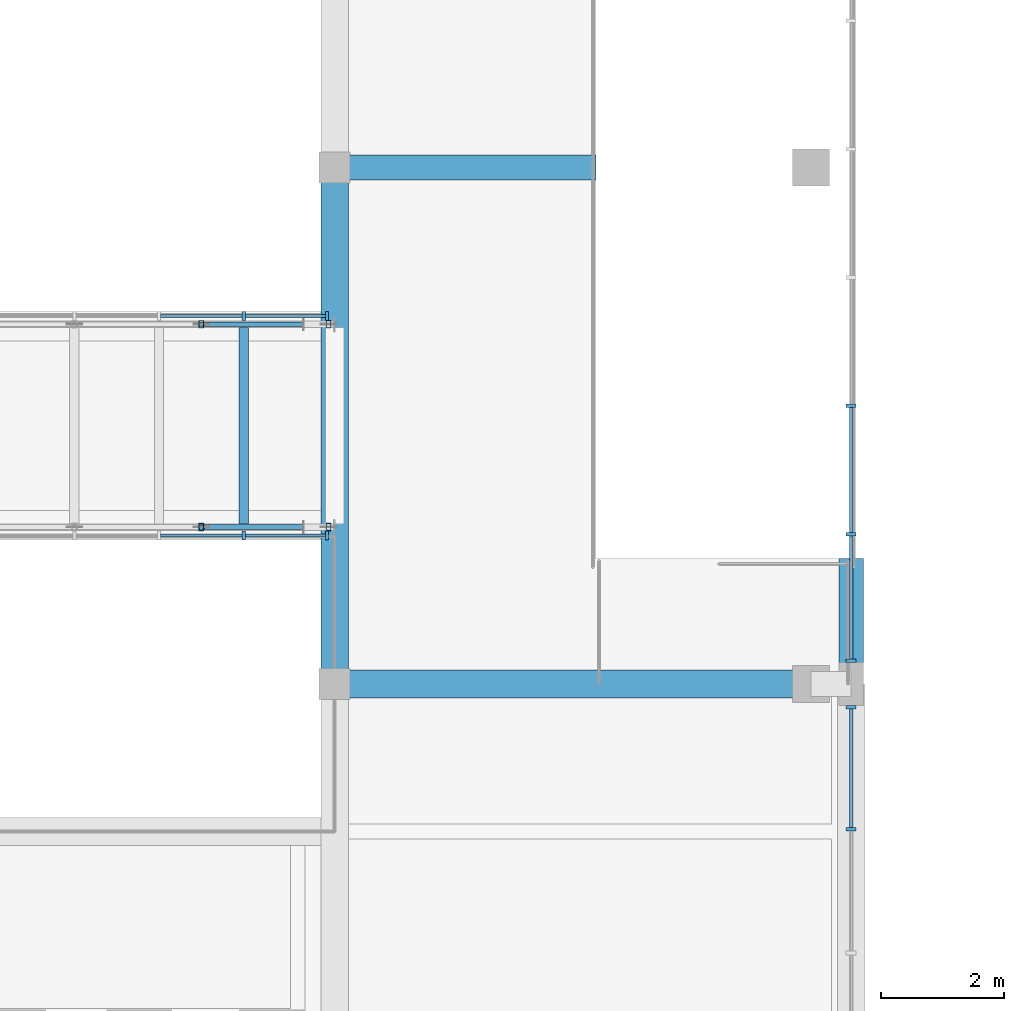
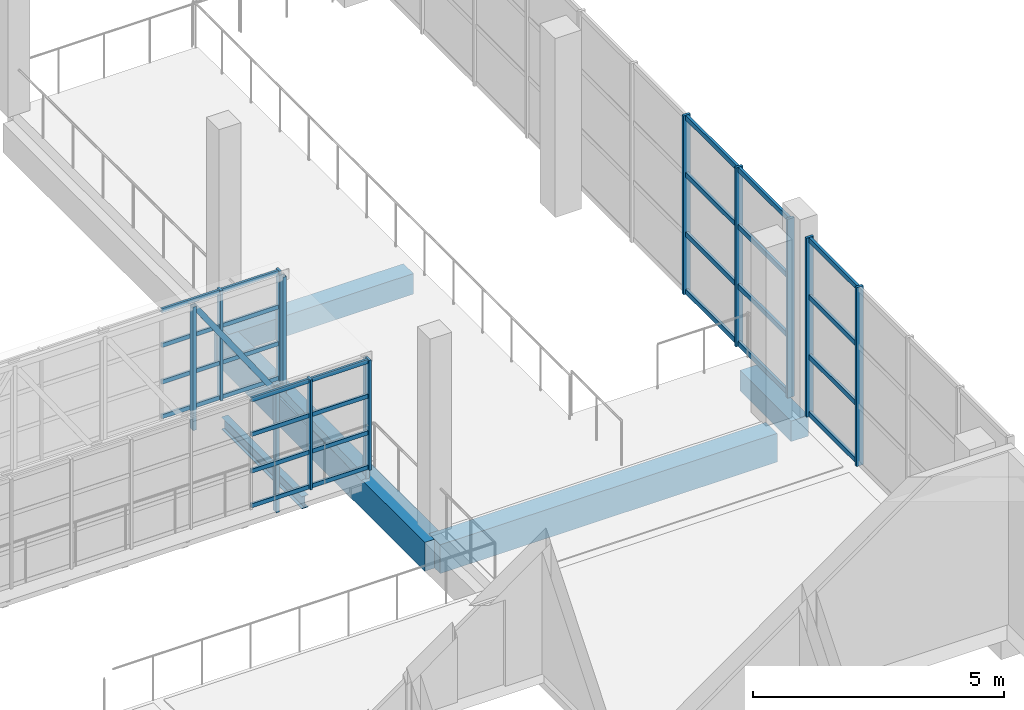
# One storey, part 20 of 67: 43 members, 5 beams, 4 elements without a shape of their own.
"""IFC4 building model written with IfcOpenShell, lengths in metres."""

from ifc_helpers import new_model, si_unit, direction, frame, origin, origin_2d, place, context, subcontext, project, spatial, rectangle, hollow_rectangle, i_section, extrude, material, layer, layer_set, material_profile, profile_set, type_object, element, aggregate, save


model = new_model("IFC4")

# Units and contexts
model_context = context("Model", 3, precision=1e-05, world=origin(), true_north=direction((0.0, 1.0)))
body_context = subcontext(model_context, "Body", "Model", "MODEL_VIEW")
ifc_project = project(units=[si_unit("LENGTHUNIT", "METRE"), si_unit("AREAUNIT", "SQUARE_METRE"), si_unit("VOLUMEUNIT", "CUBIC_METRE"), si_unit("PLANEANGLEUNIT", "RADIAN"), si_unit("MASSUNIT", "GRAM", prefix="KILO")], contexts=[model_context])

# Site, building, storey
site_placement = place(None, origin())
site = spatial("IfcSite", under=ifc_project, at=site_placement, CompositionType="ELEMENT")
building_placement = place(site_placement, origin())
building = spatial("IfcBuilding", under=site, at=building_placement, Name="Kiln Court Media Centre", CompositionType="ELEMENT")
storey_placement = place(building_placement, frame((0.0, 0.0, 19.800048828125)))
storey = spatial("IfcBuildingStorey", under=building, at=storey_placement, Name="L04", CompositionType="ELEMENT", Elevation=19.800048828125)

# Curtain wall, members
ifc_material_1 = material(Name="Aluminium 6063-T6", Category="aluminium")
ifc_layer_1 = layer(ifc_material_1, 0.1201171875)
ifc_layer_set_1 = layer_set([ifc_layer_1], Name="Aluminium unitised curtain wall, bridge")
curtain_wall_type_1 = type_object("IfcCurtainWallType", Name="Aluminium unitised curtain wall, bridge", PredefinedType="USERDEFINED", material=ifc_layer_set_1)
curtain_wall_1_placement = place(storey_placement, origin())
curtain_wall_1 = element("IfcCurtainWall", 1, at=curtain_wall_1_placement, inside=storey, type_object=curtain_wall_type_1, Name="BR-L04-FOY-11 side glazing", ObjectType="UNITISED CURTAIN WALL", PredefinedType="USERDEFINED")
ifc_material_2 = material(Name="Aluminium 6063-T6", Category="aluminium")
ifc_material_profile_1 = material_profile(ifc_material_2, rectangle(XDim=0.050048828125, YDim=0.139892578125, at=origin_2d()), Name="Aluminium hall mullion 50x140")
ifc_profile_set_1 = profile_set([ifc_material_profile_1], Name="Aluminium 6063-T6")
member_type_1 = type_object("IfcMemberType", Name="Aluminium hall mullion 50x140", PredefinedType="MULLION", material=ifc_profile_set_1)
member_1_placement = place(storey_placement, frame((48.922119140625, 36.014892578125, 0.0), z_axis=(0.0, 0.0, 1.0), x_axis=(1.0, 0.0, 0.0)))
member_1 = element("IfcMember", 2, at=member_1_placement, type_object=member_type_1, Name="CW4-67 mullion 9", PredefinedType="MULLION", context=body_context, shape_type="SweptSolid", body=[
    extrude(rectangle(XDim=0.050048828125, YDim=0.139892578125, at=origin_2d()), origin(), (0.0, 0.0, 1.0), 2.675048828125),
])
member_2_placement = place(storey_placement, frame((50.27490234375, 36.014892578125, 0.0), z_axis=(0.0, 0.0, 1.0), x_axis=(1.0, 0.0, 0.0)))
member_2 = element("IfcMember", 3, at=member_2_placement, type_object=member_type_1, Name="CW4-67 mullion 10", PredefinedType="MULLION", context=body_context, shape_type="SweptSolid", body=[
    extrude(rectangle(XDim=0.050048828125, YDim=0.139892578125, at=origin_2d()), origin(), (0.0, 0.0, 1.0), 2.675048828125),
])

curtain_wall_2_placement = place(storey_placement, origin())
curtain_wall_2 = element("IfcCurtainWall", 4, at=curtain_wall_2_placement, inside=storey, type_object=curtain_wall_type_1, Name="BR-L04-FOY-11 side glazing", ObjectType="UNITISED CURTAIN WALL", PredefinedType="USERDEFINED")
member_3_placement = place(storey_placement, frame((48.922119140625, 39.5849609375, 0.0), z_axis=(0.0, 0.0, 1.0), x_axis=(1.0, 0.0, 0.0)))
member_3 = element("IfcMember", 5, at=member_3_placement, type_object=member_type_1, Name="CW4-68 mullion 9", PredefinedType="MULLION", context=body_context, shape_type="SweptSolid", body=[
    extrude(rectangle(XDim=0.050048828125, YDim=0.139892578125, at=origin_2d()), origin(), (0.0, 0.0, 1.0), 2.675048828125),
])
member_4_placement = place(storey_placement, frame((50.27490234375, 39.5849609375, 0.0), z_axis=(0.0, 0.0, 1.0), x_axis=(1.0, 0.0, 0.0)))
member_4 = element("IfcMember", 6, at=member_4_placement, type_object=member_type_1, Name="CW4-68 mullion 10", PredefinedType="MULLION", context=body_context, shape_type="SweptSolid", body=[
    extrude(rectangle(XDim=0.050048828125, YDim=0.139892578125, at=origin_2d()), origin(), (0.0, 0.0, 1.0), 2.675048828125),
])

ifc_material_3 = material(Name="Aluminium 6063-T6", Category="aluminium")
ifc_layer_2 = layer(ifc_material_3, 0.1201171875)
ifc_layer_set_2 = layer_set([ifc_layer_2], Name="Aluminium stick curtain wall, clerestory")
curtain_wall_type_2 = type_object("IfcCurtainWallType", Name="Aluminium stick curtain wall, clerestory", PredefinedType="USERDEFINED", material=ifc_layer_set_2)
curtain_wall_3_placement = place(storey_placement, origin())
curtain_wall_3 = element("IfcCurtainWall", 7, at=curtain_wall_3_placement, inside=storey, type_object=curtain_wall_type_2, Name="Foyer east clerestory", ObjectType="STICK CURTAIN WALL", PredefinedType="USERDEFINED")
ifc_material_4 = material(Name="Aluminium 6063-T6", Category="aluminium")
ifc_material_profile_2 = material_profile(ifc_material_4, rectangle(XDim=0.06005859375, YDim=0.159912109375, at=origin_2d()), Name="Aluminium hall mullion 60x160")
ifc_profile_set_2 = profile_set([ifc_material_profile_2], Name="Aluminium 6063-T6")
member_type_2 = type_object("IfcMemberType", Name="Aluminium hall mullion 60x160", PredefinedType="MULLION", material=ifc_profile_set_2)
member_5_placement = place(storey_placement, frame((58.800048828125, 31.237548828125, 0.0), z_axis=(0.0, 0.0, 1.0), x_axis=(0.0, 1.0, 0.0)))
member_5 = element("IfcMember", 8, at=member_5_placement, type_object=member_type_2, Name="CW4-62 mullion 4", PredefinedType="MULLION", context=body_context, shape_type="SweptSolid", body=[
    extrude(rectangle(XDim=0.06005859375, YDim=0.159912109375, at=origin_2d()), origin(), (0.0, 0.0, 1.0), 4.349853515625),
])
member_6_placement = place(storey_placement, frame((58.800048828125, 33.219970703125, 0.0), z_axis=(0.0, 0.0, 1.0), x_axis=(0.0, 1.0, 0.0)))
member_6 = element("IfcMember", 9, at=member_6_placement, type_object=member_type_2, Name="CW4-62 mullion 5", PredefinedType="MULLION", context=body_context, shape_type="SweptSolid", body=[
    extrude(rectangle(XDim=0.06005859375, YDim=0.159912109375, at=origin_2d()), origin(), (0.0, 0.0, 1.0), 4.349853515625),
])

curtain_wall_4_placement = place(storey_placement, origin())
curtain_wall_4 = element("IfcCurtainWall", 10, at=curtain_wall_4_placement, inside=storey, type_object=curtain_wall_type_2, Name="Foyer east clerestory", ObjectType="STICK CURTAIN WALL", PredefinedType="USERDEFINED")
member_7_placement = place(storey_placement, frame((58.800048828125, 33.97998046875, 0.0), z_axis=(0.0, 0.0, 1.0), x_axis=(0.0, 1.0, 0.0)))
member_7 = element("IfcMember", 11, at=member_7_placement, type_object=member_type_2, Name="CW4-63 mullion 1", PredefinedType="MULLION", context=body_context, shape_type="SweptSolid", body=[
    extrude(rectangle(XDim=0.06005859375, YDim=0.159912109375, at=origin_2d()), origin(), (0.0, 0.0, 1.0), 4.349853515625),
])
member_8_placement = place(storey_placement, frame((58.800048828125, 36.037109375, 0.0), z_axis=(0.0, 0.0, 1.0), x_axis=(0.0, 1.0, 0.0)))
member_8 = element("IfcMember", 12, at=member_8_placement, type_object=member_type_2, Name="CW4-63 mullion 2", PredefinedType="MULLION", context=body_context, shape_type="SweptSolid", body=[
    extrude(rectangle(XDim=0.06005859375, YDim=0.159912109375, at=origin_2d()), origin(), (0.0, 0.0, 1.0), 4.349853515625),
])
member_9_placement = place(storey_placement, frame((58.800048828125, 38.124267578125, 0.0), z_axis=(0.0, 0.0, 1.0), x_axis=(0.0, 1.0, 0.0)))
member_9 = element("IfcMember", 13, at=member_9_placement, type_object=member_type_2, Name="CW4-63 mullion 3", PredefinedType="MULLION", context=body_context, shape_type="SweptSolid", body=[
    extrude(rectangle(XDim=0.06005859375, YDim=0.159912109375, at=origin_2d()), origin(), (0.0, 0.0, 1.0), 4.349853515625),
])

# Member
ifc_material_5 = material(Name="Aluminium 6063-T6", Category="aluminium")
ifc_material_profile_3 = material_profile(ifc_material_5, rectangle(XDim=0.050048828125, YDim=0.10009765625, at=origin_2d()), Name="Aluminium hall transom 50x100")
ifc_profile_set_3 = profile_set([ifc_material_profile_3], Name="Aluminium 6063-T6")
member_type_3 = type_object("IfcMemberType", Name="Aluminium hall transom 50x100", PredefinedType="USERDEFINED", material=ifc_profile_set_3)
member_10_placement = place(storey_placement, frame((47.5693359375, 36.014892578125, 0.050048828125), z_axis=(1.0, 0.0, 0.0), x_axis=(0.0, 1.0, 0.0)))
member_10 = element("IfcMember", 14, at=member_10_placement, type_object=member_type_3, Name="CW4-67 transom 8.1", ObjectType="TRANSOM", PredefinedType="USERDEFINED", context=body_context, shape_type="SweptSolid", body=[
    extrude(rectangle(XDim=0.050048828125, YDim=0.10009765625, at=origin_2d()), origin(), (0.0, 0.0, 1.0), 1.327880859375),
])

member_11_placement = place(storey_placement, frame((47.5693359375, 36.014892578125, 0.8916015625), z_axis=(1.0, 0.0, 0.0), x_axis=(0.0, 1.0, 0.0)))
member_11 = element("IfcMember", 15, at=member_11_placement, type_object=member_type_3, Name="CW4-67 transom 8.2", ObjectType="TRANSOM", PredefinedType="USERDEFINED", context=body_context, shape_type="SweptSolid", body=[
    extrude(rectangle(XDim=0.050048828125, YDim=0.10009765625, at=origin_2d()), origin(), (0.0, 0.0, 1.0), 1.327880859375),
])

member_12_placement = place(storey_placement, frame((47.5693359375, 36.014892578125, 1.783203125), z_axis=(1.0, 0.0, 0.0), x_axis=(0.0, 1.0, 0.0)))
member_12 = element("IfcMember", 16, at=member_12_placement, type_object=member_type_3, Name="CW4-67 transom 8.3", ObjectType="TRANSOM", PredefinedType="USERDEFINED", context=body_context, shape_type="SweptSolid", body=[
    extrude(rectangle(XDim=0.050048828125, YDim=0.10009765625, at=origin_2d()), origin(), (0.0, 0.0, 1.0), 1.327880859375),
])

member_13_placement = place(storey_placement, frame((47.5693359375, 36.014892578125, 2.625), z_axis=(1.0, 0.0, 0.0), x_axis=(0.0, 1.0, 0.0)))
member_13 = element("IfcMember", 17, at=member_13_placement, type_object=member_type_3, Name="CW4-67 transom 8.4", ObjectType="TRANSOM", PredefinedType="USERDEFINED", context=body_context, shape_type="SweptSolid", body=[
    extrude(rectangle(XDim=0.050048828125, YDim=0.10009765625, at=origin_2d()), origin(), (0.0, 0.0, 1.0), 1.327880859375),
])

member_14_placement = place(storey_placement, frame((48.947265625, 36.014892578125, 0.050048828125), z_axis=(1.0, 0.0, 0.0), x_axis=(0.0, 1.0, 0.0)))
member_14 = element("IfcMember", 18, at=member_14_placement, type_object=member_type_3, Name="CW4-67 transom 9.1", ObjectType="TRANSOM", PredefinedType="USERDEFINED", context=body_context, shape_type="SweptSolid", body=[
    extrude(rectangle(XDim=0.050048828125, YDim=0.10009765625, at=origin_2d()), origin(), (0.0, 0.0, 1.0), 1.302734375),
])

member_15_placement = place(storey_placement, frame((48.947265625, 36.014892578125, 0.8916015625), z_axis=(1.0, 0.0, 0.0), x_axis=(0.0, 1.0, 0.0)))
member_15 = element("IfcMember", 19, at=member_15_placement, type_object=member_type_3, Name="CW4-67 transom 9.2", ObjectType="TRANSOM", PredefinedType="USERDEFINED", context=body_context, shape_type="SweptSolid", body=[
    extrude(rectangle(XDim=0.050048828125, YDim=0.10009765625, at=origin_2d()), origin(), (0.0, 0.0, 1.0), 1.302734375),
])

member_16_placement = place(storey_placement, frame((48.947265625, 36.014892578125, 1.783203125), z_axis=(1.0, 0.0, 0.0), x_axis=(0.0, 1.0, 0.0)))
member_16 = element("IfcMember", 20, at=member_16_placement, type_object=member_type_3, Name="CW4-67 transom 9.3", ObjectType="TRANSOM", PredefinedType="USERDEFINED", context=body_context, shape_type="SweptSolid", body=[
    extrude(rectangle(XDim=0.050048828125, YDim=0.10009765625, at=origin_2d()), origin(), (0.0, 0.0, 1.0), 1.302734375),
])

member_17_placement = place(storey_placement, frame((48.947265625, 36.014892578125, 2.625), z_axis=(1.0, 0.0, 0.0), x_axis=(0.0, 1.0, 0.0)))
member_17 = element("IfcMember", 21, at=member_17_placement, type_object=member_type_3, Name="CW4-67 transom 9.4", ObjectType="TRANSOM", PredefinedType="USERDEFINED", context=body_context, shape_type="SweptSolid", body=[
    extrude(rectangle(XDim=0.050048828125, YDim=0.10009765625, at=origin_2d()), origin(), (0.0, 0.0, 1.0), 1.302734375),
])

aggregate(curtain_wall_1, [member_1, member_2, member_10, member_11, member_12, member_13, member_14, member_15, member_16, member_17])

member_18_placement = place(storey_placement, frame((47.5693359375, 39.5849609375, 0.050048828125), z_axis=(1.0, 0.0, 0.0), x_axis=(0.0, 1.0, 0.0)))
member_18 = element("IfcMember", 22, at=member_18_placement, type_object=member_type_3, Name="CW4-68 transom 8.1", ObjectType="TRANSOM", PredefinedType="USERDEFINED", context=body_context, shape_type="SweptSolid", body=[
    extrude(rectangle(XDim=0.050048828125, YDim=0.10009765625, at=origin_2d()), origin(), (0.0, 0.0, 1.0), 1.327880859375),
])

member_19_placement = place(storey_placement, frame((47.5693359375, 39.5849609375, 0.8916015625), z_axis=(1.0, 0.0, 0.0), x_axis=(0.0, 1.0, 0.0)))
member_19 = element("IfcMember", 23, at=member_19_placement, type_object=member_type_3, Name="CW4-68 transom 8.2", ObjectType="TRANSOM", PredefinedType="USERDEFINED", context=body_context, shape_type="SweptSolid", body=[
    extrude(rectangle(XDim=0.050048828125, YDim=0.10009765625, at=origin_2d()), origin(), (0.0, 0.0, 1.0), 1.327880859375),
])

member_20_placement = place(storey_placement, frame((47.5693359375, 39.5849609375, 1.783203125), z_axis=(1.0, 0.0, 0.0), x_axis=(0.0, 1.0, 0.0)))
member_20 = element("IfcMember", 24, at=member_20_placement, type_object=member_type_3, Name="CW4-68 transom 8.3", ObjectType="TRANSOM", PredefinedType="USERDEFINED", context=body_context, shape_type="SweptSolid", body=[
    extrude(rectangle(XDim=0.050048828125, YDim=0.10009765625, at=origin_2d()), origin(), (0.0, 0.0, 1.0), 1.327880859375),
])

member_21_placement = place(storey_placement, frame((47.5693359375, 39.5849609375, 2.625), z_axis=(1.0, 0.0, 0.0), x_axis=(0.0, 1.0, 0.0)))
member_21 = element("IfcMember", 25, at=member_21_placement, type_object=member_type_3, Name="CW4-68 transom 8.4", ObjectType="TRANSOM", PredefinedType="USERDEFINED", context=body_context, shape_type="SweptSolid", body=[
    extrude(rectangle(XDim=0.050048828125, YDim=0.10009765625, at=origin_2d()), origin(), (0.0, 0.0, 1.0), 1.327880859375),
])

member_22_placement = place(storey_placement, frame((48.947265625, 39.5849609375, 0.050048828125), z_axis=(1.0, 0.0, 0.0), x_axis=(0.0, 1.0, 0.0)))
member_22 = element("IfcMember", 26, at=member_22_placement, type_object=member_type_3, Name="CW4-68 transom 9.1", ObjectType="TRANSOM", PredefinedType="USERDEFINED", context=body_context, shape_type="SweptSolid", body=[
    extrude(rectangle(XDim=0.050048828125, YDim=0.10009765625, at=origin_2d()), origin(), (0.0, 0.0, 1.0), 1.302734375),
])

member_23_placement = place(storey_placement, frame((48.947265625, 39.5849609375, 0.8916015625), z_axis=(1.0, 0.0, 0.0), x_axis=(0.0, 1.0, 0.0)))
member_23 = element("IfcMember", 27, at=member_23_placement, type_object=member_type_3, Name="CW4-68 transom 9.2", ObjectType="TRANSOM", PredefinedType="USERDEFINED", context=body_context, shape_type="SweptSolid", body=[
    extrude(rectangle(XDim=0.050048828125, YDim=0.10009765625, at=origin_2d()), origin(), (0.0, 0.0, 1.0), 1.302734375),
])

member_24_placement = place(storey_placement, frame((48.947265625, 39.5849609375, 1.783203125), z_axis=(1.0, 0.0, 0.0), x_axis=(0.0, 1.0, 0.0)))
member_24 = element("IfcMember", 28, at=member_24_placement, type_object=member_type_3, Name="CW4-68 transom 9.3", ObjectType="TRANSOM", PredefinedType="USERDEFINED", context=body_context, shape_type="SweptSolid", body=[
    extrude(rectangle(XDim=0.050048828125, YDim=0.10009765625, at=origin_2d()), origin(), (0.0, 0.0, 1.0), 1.302734375),
])

member_25_placement = place(storey_placement, frame((48.947265625, 39.5849609375, 2.625), z_axis=(1.0, 0.0, 0.0), x_axis=(0.0, 1.0, 0.0)))
member_25 = element("IfcMember", 29, at=member_25_placement, type_object=member_type_3, Name="CW4-68 transom 9.4", ObjectType="TRANSOM", PredefinedType="USERDEFINED", context=body_context, shape_type="SweptSolid", body=[
    extrude(rectangle(XDim=0.050048828125, YDim=0.10009765625, at=origin_2d()), origin(), (0.0, 0.0, 1.0), 1.302734375),
])

aggregate(curtain_wall_2, [member_3, member_4, member_18, member_19, member_20, member_21, member_22, member_23, member_24, member_25])

ifc_material_6 = material(Name="Aluminium 6063-T6", Category="aluminium")
ifc_material_profile_4 = material_profile(ifc_material_6, rectangle(XDim=0.06005859375, YDim=0.1201171875, at=origin_2d()), Name="Aluminium hall transom 60x120")
ifc_profile_set_4 = profile_set([ifc_material_profile_4], Name="Aluminium 6063-T6")
member_type_4 = type_object("IfcMemberType", Name="Aluminium hall transom 60x120", PredefinedType="USERDEFINED", material=ifc_profile_set_4)
member_26_placement = place(storey_placement, frame((58.800048828125, 31.267578125, 0.06005859375), z_axis=(0.0, 1.0, 0.0), x_axis=(-1.0, 0.0, 0.0)))
member_26 = element("IfcMember", 30, at=member_26_placement, type_object=member_type_4, Name="CW4-62 transom 4.1", ObjectType="TRANSOM", PredefinedType="USERDEFINED", context=body_context, shape_type="SweptSolid", body=[
    extrude(rectangle(XDim=0.06005859375, YDim=0.1201171875, at=origin_2d()), origin(), (0.0, 0.0, 1.0), 1.92236328125),
])

member_27_placement = place(storey_placement, frame((58.800048828125, 31.267578125, 1.449951171875), z_axis=(0.0, 1.0, 0.0), x_axis=(-1.0, 0.0, 0.0)))
member_27 = element("IfcMember", 31, at=member_27_placement, type_object=member_type_4, Name="CW4-62 transom 4.2", ObjectType="TRANSOM", PredefinedType="USERDEFINED", context=body_context, shape_type="SweptSolid", body=[
    extrude(rectangle(XDim=0.06005859375, YDim=0.1201171875, at=origin_2d()), origin(), (0.0, 0.0, 1.0), 1.92236328125),
])

member_28_placement = place(storey_placement, frame((58.800048828125, 31.267578125, 2.89990234375), z_axis=(0.0, 1.0, 0.0), x_axis=(-1.0, 0.0, 0.0)))
member_28 = element("IfcMember", 32, at=member_28_placement, type_object=member_type_4, Name="CW4-62 transom 4.3", ObjectType="TRANSOM", PredefinedType="USERDEFINED", context=body_context, shape_type="SweptSolid", body=[
    extrude(rectangle(XDim=0.06005859375, YDim=0.1201171875, at=origin_2d()), origin(), (0.0, 0.0, 1.0), 1.92236328125),
])

member_29_placement = place(storey_placement, frame((58.800048828125, 31.267578125, 4.2900390625), z_axis=(0.0, 1.0, 0.0), x_axis=(-1.0, 0.0, 0.0)))
member_29 = element("IfcMember", 33, at=member_29_placement, type_object=member_type_4, Name="CW4-62 transom 4.4", ObjectType="TRANSOM", PredefinedType="USERDEFINED", context=body_context, shape_type="SweptSolid", body=[
    extrude(rectangle(XDim=0.06005859375, YDim=0.1201171875, at=origin_2d()), origin(), (0.0, 0.0, 1.0), 1.92236328125),
])

aggregate(curtain_wall_3, [member_5, member_6, member_26, member_27, member_28, member_29])

member_30_placement = place(storey_placement, frame((58.800048828125, 34.010009765625, 0.06005859375), z_axis=(0.0, 1.0, 0.0), x_axis=(-1.0, 0.0, 0.0)))
member_30 = element("IfcMember", 34, at=member_30_placement, type_object=member_type_4, Name="CW4-63 transom 1.1", ObjectType="TRANSOM", PredefinedType="USERDEFINED", context=body_context, shape_type="SweptSolid", body=[
    extrude(rectangle(XDim=0.06005859375, YDim=0.1201171875, at=origin_2d()), origin(), (0.0, 0.0, 1.0), 1.9970703125),
])

member_31_placement = place(storey_placement, frame((58.800048828125, 34.010009765625, 1.449951171875), z_axis=(0.0, 1.0, 0.0), x_axis=(-1.0, 0.0, 0.0)))
member_31 = element("IfcMember", 35, at=member_31_placement, type_object=member_type_4, Name="CW4-63 transom 1.2", ObjectType="TRANSOM", PredefinedType="USERDEFINED", context=body_context, shape_type="SweptSolid", body=[
    extrude(rectangle(XDim=0.06005859375, YDim=0.1201171875, at=origin_2d()), origin(), (0.0, 0.0, 1.0), 1.9970703125),
])

member_32_placement = place(storey_placement, frame((58.800048828125, 34.010009765625, 2.89990234375), z_axis=(0.0, 1.0, 0.0), x_axis=(-1.0, 0.0, 0.0)))
member_32 = element("IfcMember", 36, at=member_32_placement, type_object=member_type_4, Name="CW4-63 transom 1.3", ObjectType="TRANSOM", PredefinedType="USERDEFINED", context=body_context, shape_type="SweptSolid", body=[
    extrude(rectangle(XDim=0.06005859375, YDim=0.1201171875, at=origin_2d()), origin(), (0.0, 0.0, 1.0), 1.9970703125),
])

member_33_placement = place(storey_placement, frame((58.800048828125, 34.010009765625, 4.2900390625), z_axis=(0.0, 1.0, 0.0), x_axis=(-1.0, 0.0, 0.0)))
member_33 = element("IfcMember", 37, at=member_33_placement, type_object=member_type_4, Name="CW4-63 transom 1.4", ObjectType="TRANSOM", PredefinedType="USERDEFINED", context=body_context, shape_type="SweptSolid", body=[
    extrude(rectangle(XDim=0.06005859375, YDim=0.1201171875, at=origin_2d()), origin(), (0.0, 0.0, 1.0), 1.9970703125),
])

member_34_placement = place(storey_placement, frame((58.800048828125, 36.067138671875, 0.06005859375), z_axis=(0.0, 1.0, 0.0), x_axis=(-1.0, 0.0, 0.0)))
member_34 = element("IfcMember", 38, at=member_34_placement, type_object=member_type_4, Name="CW4-63 transom 2.1", ObjectType="TRANSOM", PredefinedType="USERDEFINED", context=body_context, shape_type="SweptSolid", body=[
    extrude(rectangle(XDim=0.06005859375, YDim=0.1201171875, at=origin_2d()), origin(), (0.0, 0.0, 1.0), 2.027099609375),
])

member_35_placement = place(storey_placement, frame((58.800048828125, 36.067138671875, 1.449951171875), z_axis=(0.0, 1.0, 0.0), x_axis=(-1.0, 0.0, 0.0)))
member_35 = element("IfcMember", 39, at=member_35_placement, type_object=member_type_4, Name="CW4-63 transom 2.2", ObjectType="TRANSOM", PredefinedType="USERDEFINED", context=body_context, shape_type="SweptSolid", body=[
    extrude(rectangle(XDim=0.06005859375, YDim=0.1201171875, at=origin_2d()), origin(), (0.0, 0.0, 1.0), 2.027099609375),
])

member_36_placement = place(storey_placement, frame((58.800048828125, 36.067138671875, 2.89990234375), z_axis=(0.0, 1.0, 0.0), x_axis=(-1.0, 0.0, 0.0)))
member_36 = element("IfcMember", 40, at=member_36_placement, type_object=member_type_4, Name="CW4-63 transom 2.3", ObjectType="TRANSOM", PredefinedType="USERDEFINED", context=body_context, shape_type="SweptSolid", body=[
    extrude(rectangle(XDim=0.06005859375, YDim=0.1201171875, at=origin_2d()), origin(), (0.0, 0.0, 1.0), 2.027099609375),
])

member_37_placement = place(storey_placement, frame((58.800048828125, 36.067138671875, 4.2900390625), z_axis=(0.0, 1.0, 0.0), x_axis=(-1.0, 0.0, 0.0)))
member_37 = element("IfcMember", 41, at=member_37_placement, type_object=member_type_4, Name="CW4-63 transom 2.4", ObjectType="TRANSOM", PredefinedType="USERDEFINED", context=body_context, shape_type="SweptSolid", body=[
    extrude(rectangle(XDim=0.06005859375, YDim=0.1201171875, at=origin_2d()), origin(), (0.0, 0.0, 1.0), 2.027099609375),
])

aggregate(curtain_wall_4, [member_7, member_8, member_9, member_30, member_31, member_32, member_33, member_34, member_35, member_36, member_37])

# Beams
ifc_material_7 = material(Name="Concrete C30/37", Category="concrete")
ifc_material_profile_5 = material_profile(ifc_material_7, rectangle(XDim=0.39990234375, YDim=0.5, at=origin_2d()), Name="RC 400x500")
ifc_profile_set_5 = profile_set([ifc_material_profile_5], Name="Concrete C30/37")
beam_type_1 = type_object("IfcBeamType", Name="Concrete C30/37 beam 400x500", PredefinedType="BEAM", material=ifc_profile_set_5)
beam_1_placement = place(storey_placement, frame((58.800048828125, 33.60009765625, -0.550048828125), z_axis=(0.0, 1.0, 0.0), x_axis=(-1.0, 0.0, 0.0)))
element("IfcBeam", 42, at=beam_1_placement, inside=storey, type_object=beam_type_1, Name="L04-B-1089", PredefinedType="BEAM", context=body_context, shape_type="SweptSolid", body=[
    extrude(rectangle(XDim=0.39990234375, YDim=0.5, at=origin_2d()), origin(), (0.0, 0.0, 1.0), 2.041015625),
])
beam_2_placement = place(storey_placement, frame((50.39990234375, 42.0, -0.550048828125), z_axis=(1.0, 0.0, 0.0), x_axis=(0.0, 1.0, 0.0)))
element("IfcBeam", 43, at=beam_2_placement, inside=storey, type_object=beam_type_1, Name="L04-B-1100", PredefinedType="BEAM", context=body_context, shape_type="SweptSolid", body=[
    extrude(rectangle(XDim=0.39990234375, YDim=0.5, at=origin_2d()), origin(), (0.0, 0.0, 1.0), 4.2509765625),
])
ifc_material_8 = material(Name="Concrete C30/37", Category="concrete")
ifc_material_profile_6 = material_profile(ifc_material_8, rectangle(XDim=0.449951171875, YDim=0.699951171875, at=origin_2d()), Name="RC 450x700")
ifc_profile_set_6 = profile_set([ifc_material_profile_6], Name="Concrete C30/37")
beam_type_2 = type_object("IfcBeamType", Name="Concrete C30/37 beam 450x700", PredefinedType="BEAM", material=ifc_profile_set_6)
beam_3_placement = place(storey_placement, frame((50.39990234375, 33.60009765625, -0.650146484375), z_axis=(0.0, 1.0, 0.0), x_axis=(-1.0, 0.0, 0.0)))
element("IfcBeam", 44, at=beam_3_placement, inside=storey, type_object=beam_type_2, Name="L04-B-1086", PredefinedType="BEAM", context=body_context, shape_type="SweptSolid", body=[
    extrude(rectangle(XDim=0.449951171875, YDim=0.699951171875, at=origin_2d()), origin(), (0.0, 0.0, 1.0), 8.39990234375),
])
beam_4_placement = place(storey_placement, frame((50.39990234375, 33.60009765625, -0.650146484375), z_axis=(1.0, 0.0, 0.0), x_axis=(0.0, 1.0, 0.0)))
element("IfcBeam", 45, at=beam_4_placement, inside=storey, type_object=beam_type_2, Name="L04-B-1096", PredefinedType="BEAM", context=body_context, shape_type="SweptSolid", body=[
    extrude(rectangle(XDim=0.449951171875, YDim=0.699951171875, at=origin_2d()), origin(), (0.0, 0.0, 1.0), 7.75),
])

# Members
ifc_material_9 = material(Name="Steel ASTM A500 Gr C", Category="steel")
ifc_material_profile_7 = material_profile(ifc_material_9, hollow_rectangle(XDim=0.080078125, YDim=0.1201171875, WallThickness=0.00634765625, at=origin_2d()), Name="RHS 120x80x6.3")
ifc_profile_set_7 = profile_set([ifc_material_profile_7], Name="Steel ASTM A500 Gr C")
member_type_5 = type_object("IfcMemberType", Name="Steel ASTM A500 Gr C RHS 120x80x6.3 bridge truss web", PredefinedType="BRACE", material=ifc_profile_set_7)
for number, where, z_axis, x_axis, name in (
    (46, (48.2333984375, 36.14990234375, -0.400146484375), (0.0, 0.0, 1.0), (1.0, 0.0, 0.0), "bridge BR-L04-FOY-11 side truss 1 post 6 bridge truss web"),
    (47, (50.300048828125, 36.14990234375, -0.400146484375), (0.0, 0.0, 1.0), (1.0, 0.0, 0.0), "bridge BR-L04-FOY-11 side truss 1 post 7 bridge truss web"),
):
    element("IfcMember", number, at=place(storey_placement, frame(where, z_axis=z_axis, x_axis=x_axis)), inside=storey, type_object=member_type_5, Name=name, PredefinedType="BRACE", context=body_context, shape_type="SweptSolid", body=[
        extrude(hollow_rectangle(XDim=0.080078125, YDim=0.1201171875, WallThickness=0.00634765625, at=origin_2d()), origin(), (0.0, 0.0, 1.0), 3.0),
    ])
member_38_placement = place(storey_placement, frame((48.2333984375, 36.14990234375, 2.599853515625), z_axis=(0.567302206325, 0.0, -0.823509688284), x_axis=(0.0, 1.0, 0.0)))
element("IfcMember", 48, at=member_38_placement, inside=storey, type_object=member_type_5, Name="bridge BR-L04-FOY-11 side truss 1 diagonal 6 bridge truss web", PredefinedType="BRACE", context=body_context, shape_type="SweptSolid", body=[
    extrude(hollow_rectangle(XDim=0.080078125, YDim=0.1201171875, WallThickness=0.00634765625, at=origin_2d()), origin(), (0.0, 0.0, 1.0), 3.64306640625),
])
for number, where, z_axis, x_axis, name in (
    (49, (48.2333984375, 39.449951171875, -0.400146484375), (0.0, 0.0, 1.0), (1.0, 0.0, 0.0), "bridge BR-L04-FOY-11 side truss 2 post 6 bridge truss web"),
    (50, (50.300048828125, 39.449951171875, -0.400146484375), (0.0, 0.0, 1.0), (1.0, 0.0, 0.0), "bridge BR-L04-FOY-11 side truss 2 post 7 bridge truss web"),
):
    element("IfcMember", number, at=place(storey_placement, frame(where, z_axis=z_axis, x_axis=x_axis)), inside=storey, type_object=member_type_5, Name=name, PredefinedType="BRACE", context=body_context, shape_type="SweptSolid", body=[
        extrude(hollow_rectangle(XDim=0.080078125, YDim=0.1201171875, WallThickness=0.00634765625, at=origin_2d()), origin(), (0.0, 0.0, 1.0), 3.0),
    ])
member_39_placement = place(storey_placement, frame((48.2333984375, 39.449951171875, 2.599853515625), z_axis=(0.567302206325, 0.0, -0.823509688284), x_axis=(0.0, 1.0, 0.0)))
element("IfcMember", 51, at=member_39_placement, inside=storey, type_object=member_type_5, Name="bridge BR-L04-FOY-11 side truss 2 diagonal 6 bridge truss web", PredefinedType="BRACE", context=body_context, shape_type="SweptSolid", body=[
    extrude(hollow_rectangle(XDim=0.080078125, YDim=0.1201171875, WallThickness=0.00634765625, at=origin_2d()), origin(), (0.0, 0.0, 1.0), 3.64306640625),
])

# Beam
ifc_material_10 = material(Name="Steel ASTM A572 Gr 50", Category="steel")
ifc_material_profile_8 = material_profile(ifc_material_10, i_section(OverallWidth=0.14990234375, OverallDepth=0.300048828125, WebThickness=0.007080078125, FlangeThickness=0.0107421875, FilletRadius=0.014892578125, at=origin_2d()), Name="IPE 300")
ifc_profile_set_8 = profile_set([ifc_material_profile_8], Name="Steel ASTM A572 Gr 50")
beam_type_3 = type_object("IfcBeamType", Name="Steel ASTM A572 Gr 50 IPE 300 bridge floor beam", PredefinedType="BEAM", material=ifc_profile_set_8)
beam_5_placement = place(storey_placement, frame((48.922119140625, 36.199951171875, -0.449951171875), z_axis=(0.0, 1.0, 0.0), x_axis=(-1.0, 0.0, 0.0)))
element("IfcBeam", 52, at=beam_5_placement, inside=storey, type_object=beam_type_3, Name="bridge BR-L04-FOY-11 floor beam 8 bridge floor beam", PredefinedType="BEAM", context=body_context, shape_type="SweptSolid", body=[
    extrude(i_section(OverallWidth=0.14990234375, OverallDepth=0.300048828125, WebThickness=0.007080078125, FlangeThickness=0.0107421875, FilletRadius=0.014892578125, at=origin_2d()), origin(), (0.0, 0.0, 1.0), 3.199951171875),
])

save(model, "model.ifc")
